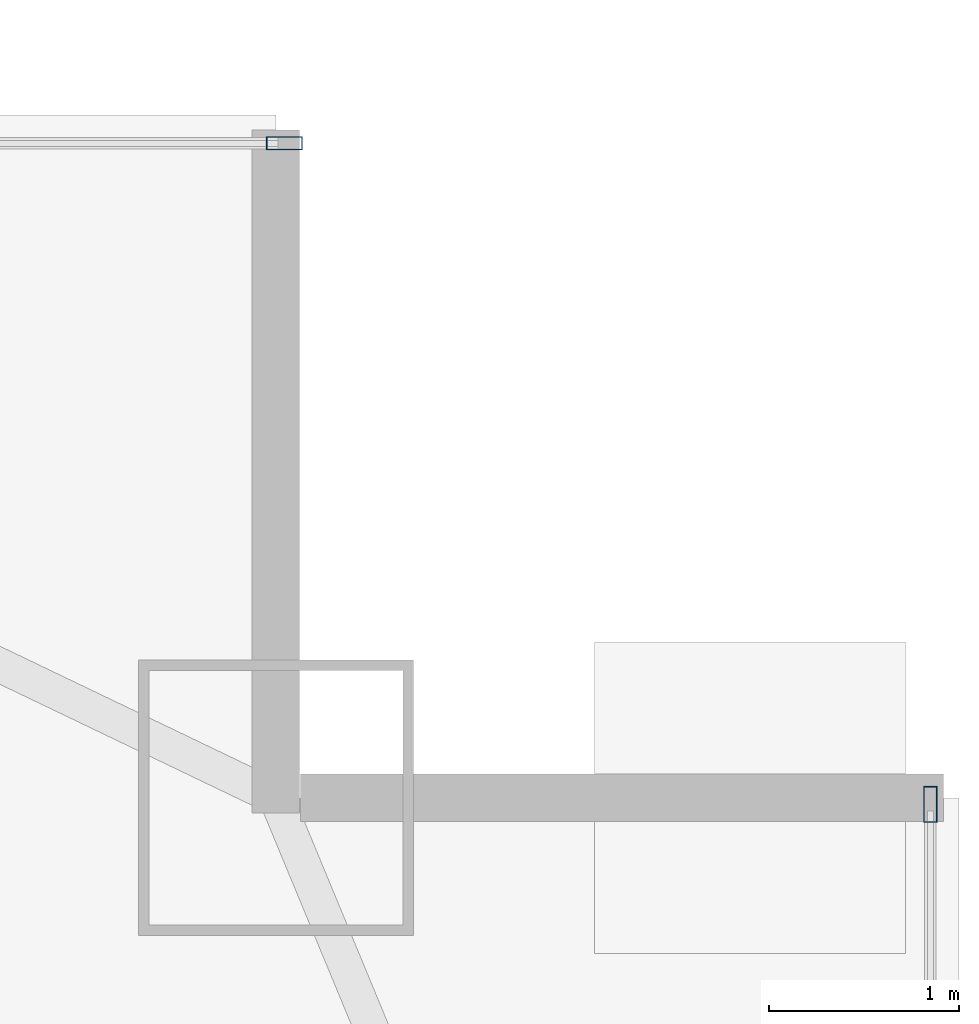
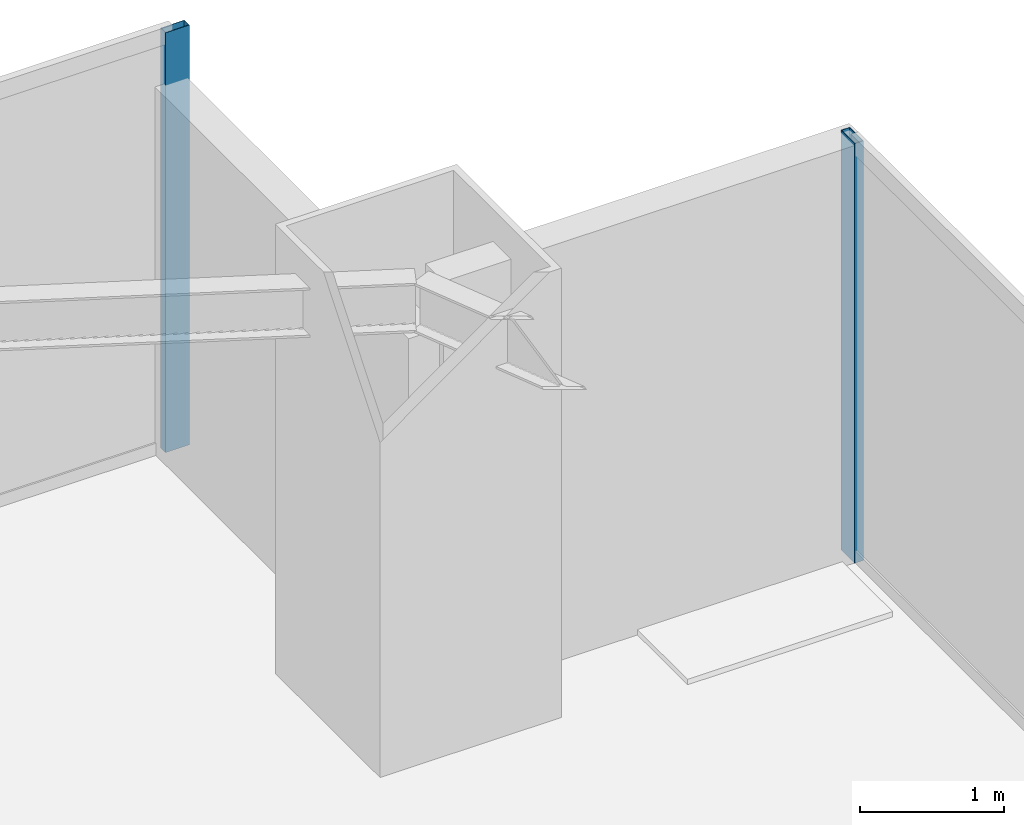
# One storey, part 26 of 35: 2 members, 2 elements without a shape of their own.
"""IFC4 building model written with IfcOpenShell, lengths in metres."""

from ifc_helpers import new_model, si_unit, direction, frame, origin, origin_2d, place, context, subcontext, project, spatial, hollow_rectangle, extrude, source, transform, mapped, material, layer, layer_set, material_profile, profile_set, type_object, type_shapes, element, aggregate, save


model = new_model("IFC4")

# Units and contexts
model_context = context("Model", 3, precision=1e-05, world=origin(), true_north=direction((0.0, 1.0)))
body_context = subcontext(model_context, "Body", "Model", "MODEL_VIEW")
ifc_project = project(units=[si_unit("LENGTHUNIT", "METRE"), si_unit("AREAUNIT", "SQUARE_METRE"), si_unit("VOLUMEUNIT", "CUBIC_METRE"), si_unit("PLANEANGLEUNIT", "RADIAN"), si_unit("MASSUNIT", "GRAM", prefix="KILO")], contexts=[model_context])

# Site, building, storey
site_placement = place(None, origin())
site = spatial("IfcSite", under=ifc_project, at=site_placement, CompositionType="ELEMENT")
building_placement = place(site_placement, origin())
building = spatial("IfcBuilding", under=site, at=building_placement, Name="Varnel Quay Broadcast Tower", CompositionType="ELEMENT")
storey_placement = place(building_placement, frame((0.0, 0.0, 87.0)))
storey = spatial("IfcBuildingStorey", under=building, at=storey_placement, Name="L20", CompositionType="ELEMENT", Elevation=87.0)

# Curtain wall, member
ifc_material = material(Name="Anodised Bronze Aluminium 6063-T6", Category="aluminium")
ifc_layer = layer(ifc_material, 0.18994140625, Name="Anodised Bronze Aluminium 6063-T6")
ifc_layer_set = layer_set([ifc_layer], Name="Anodised Bronze Aluminium 6063-T6")
curtain_wall_type = type_object("IfcCurtainWallType", Name="CW_LowerTower", PredefinedType="NOTDEFINED", material=ifc_layer_set)
curtain_wall_1_placement = place(storey_placement, origin())
curtain_wall_1 = element("IfcCurtainWall", 1, at=curtain_wall_1_placement, inside=storey, type_object=curtain_wall_type, Name="L20 East Unitised Curtain Wall", PredefinedType="NOTDEFINED")
ifc_material_profile = material_profile(ifc_material, hollow_rectangle(XDim=0.070068359375, YDim=0.18994140625, WallThickness=0.00390625, at=origin_2d()), Name="ALU70X190X4")
ifc_profile_set = profile_set([ifc_material_profile], Name="Anodised Bronze Aluminium 6063-T6")
member_type = type_object("IfcMemberType", Name="Mull_CWS-02", PredefinedType="MULLION", material=ifc_profile_set)
shared_shape = source(origin(), body_context, "Body", "SweptSolid", [
    extrude(hollow_rectangle(XDim=0.070068359375, YDim=0.18994140625, WallThickness=0.00390625, at=origin_2d()), origin(), (0.0, 0.0, 1.0), 3.550048828125),
])
type_shapes(member_type, [shared_shape])
member_1_placement = place(storey_placement, frame((63.35009765625, 43.1650390625, 0.0), z_axis=(0.0, 0.0, 1.0), x_axis=(-1.0, 0.0, 0.0)))
member_1 = element("IfcMember", 2, at=member_1_placement, type_object=member_type, Name="CWS-02 mullion 4", PredefinedType="MULLION", context=body_context, shape_type="MappedRepresentation", body=[
    mapped(shared_shape, transform((0.0, 0.0, 0.0), x_axis=(1.0, 0.0, 0.0), y_axis=(0.0, 1.0, 0.0), z_axis=(0.0, 0.0, 1.0), scale=1.0)),
])
aggregate(curtain_wall_1, [member_1])

curtain_wall_2_placement = place(storey_placement, origin())
curtain_wall_2 = element("IfcCurtainWall", 3, at=curtain_wall_2_placement, inside=storey, type_object=curtain_wall_type, Name="L20 NE Wing Curtain Wall", PredefinedType="NOTDEFINED")
member_2_placement = place(storey_placement, frame((59.945068359375, 46.64990234375, 0.0), z_axis=(0.0, 0.0, 1.0), x_axis=(0.0, 1.0, 0.0)))
member_2 = element("IfcMember", 4, at=member_2_placement, type_object=member_type, Name="CWS-02 mullion 2", PredefinedType="MULLION", context=body_context, shape_type="MappedRepresentation", body=[
    mapped(shared_shape, transform((0.0, 0.0, 0.0), x_axis=(1.0, 0.0, 0.0), y_axis=(0.0, 1.0, 0.0), z_axis=(0.0, 0.0, 1.0), scale=1.0)),
])
aggregate(curtain_wall_2, [member_2])

save(model, "model.ifc")
